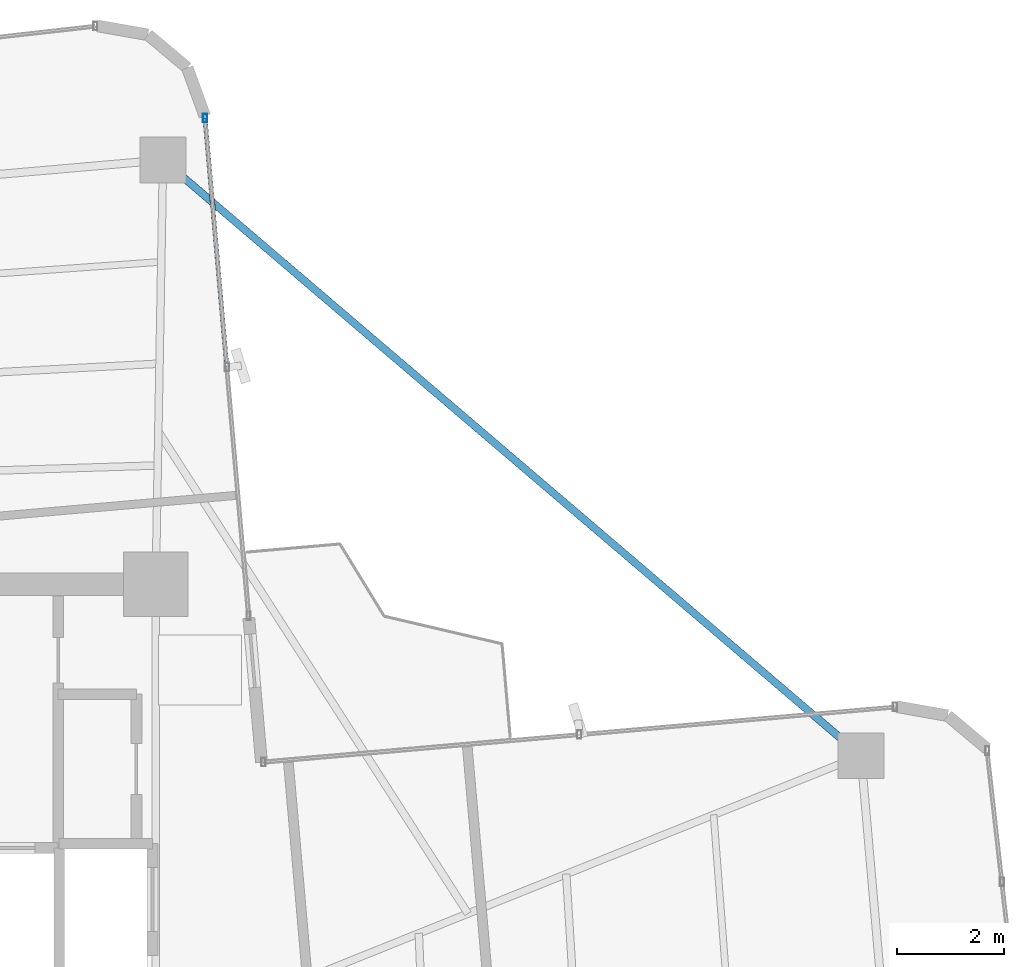
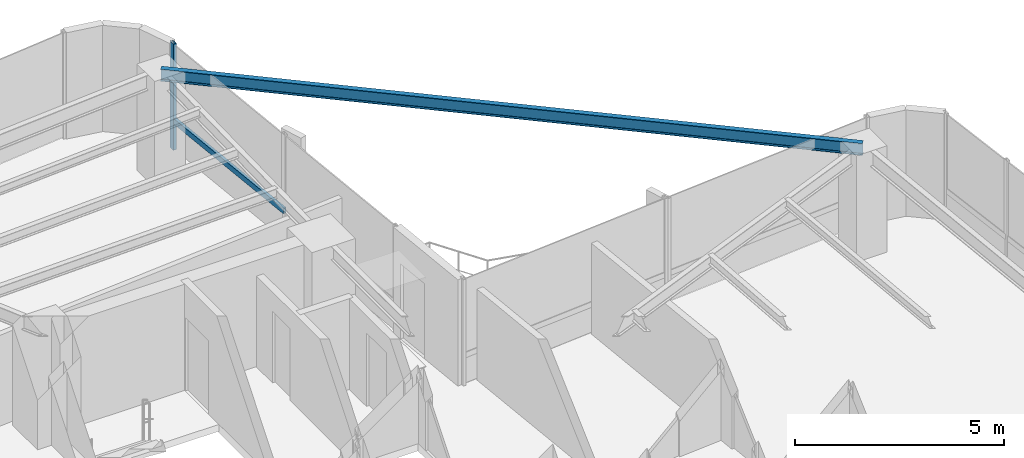
# One storey, part 17 of 24: 2 members, 1 beam, 1 element without a shape of its own.
"""IFC4 building model written with IfcOpenShell, lengths in metres."""

import ifcopenshell
import ifcopenshell.guid

model = None  # the IFC model being written
_history = None  # IfcOwnerHistory: only IFC2X3 demands one
_inside = {}  # id of a spatial element -> (the spatial element, [elements in it])
_under = {}  # id of a project, library or spatial element -> (it, [spatial elements below it])
_declared = {}  # id of a project -> (the project, [libraries it declares])
_typed = {}  # id of a type object -> (the type object, [elements of that type])
_made_of = {}  # id of a material, layer set ... -> (it, [elements and type objects made of it])


def new_model(schema):
    """Start an empty IFC model of exactly this schema.

    Asked for "IFC4X3", IfcOpenShell would pick the latest addendum, in which some entities
    have other attributes; the version numbers below select the first issue.
    IFC2X3 requires an IfcOwnerHistory on every rooted entity: one is made here for all.
    """
    global model, _history
    if schema == "IFC4X3":
        model = ifcopenshell.file(schema_version=(4, 3, 0, 0))
    else:
        model = ifcopenshell.file(schema=schema)
    _inside.clear()
    _under.clear()
    _declared.clear()
    _typed.clear()
    _made_of.clear()
    _history = None
    if model.schema == "IFC2X3":
        org = make("IfcOrganization", Name="unknown")
        user = make(
            "IfcPersonAndOrganization",
            ThePerson=make("IfcPerson", FamilyName="unknown"),
            TheOrganization=org,
        )
        app = make(
            "IfcApplication",
            ApplicationDeveloper=org,
            Version="unknown",
            ApplicationFullName="unknown",
            ApplicationIdentifier="unknown",
        )
        _history = make(
            "IfcOwnerHistory",
            OwningUser=user,
            OwningApplication=app,
            ChangeAction="ADDED",
            CreationDate=0,
        )
    return model


def make(cls, **values):
    """One entity of the class cls with the attributes given. An attribute that is None is left unset."""
    return model.create_entity(
        cls, **{name: value for name, value in values.items() if value is not None}
    )


def rooted(cls, **values):
    """An entity with a GlobalId (a new one), such as an element, a storey or a relation."""
    return make(cls, GlobalId=ifcopenshell.guid.new(), OwnerHistory=_history, **values)


def si_unit(unit_type, name, prefix=None):
    """IfcSIUnit, for example si_unit("LENGTHUNIT", "METRE", prefix="MILLI")."""
    return make("IfcSIUnit", UnitType=unit_type, Prefix=prefix, Name=name)


def assignment(units):
    """IfcUnitAssignment: the units of a project."""
    return None if units is None else make("IfcUnitAssignment", Units=units)


def point(xyz):
    """IfcCartesianPoint."""
    return None if xyz is None else make("IfcCartesianPoint", Coordinates=xyz)


def direction(xyz):
    """IfcDirection."""
    return None if xyz is None else make("IfcDirection", DirectionRatios=xyz)


def frame(location, z_axis=None, x_axis=None):
    """IfcAxis2Placement3D, a coordinate frame: its origin and axes. An axis left out is left unset."""
    return make(
        "IfcAxis2Placement3D",
        Location=point(location),
        Axis=direction(z_axis),
        RefDirection=direction(x_axis),
    )


def frame_2d(location, x_axis=None):
    """IfcAxis2Placement2D, a coordinate frame in the plane: its origin and x axis."""
    return make(
        "IfcAxis2Placement2D", Location=point(location), RefDirection=direction(x_axis)
    )


def origin():
    """The frame at (0, 0, 0) with its axes left unset."""
    return frame((0.0, 0.0, 0.0))


def origin_2d():
    """The frame at (0, 0) in the plane with its x axis left unset."""
    return frame_2d((0.0, 0.0))


def place(relative_to, where):
    """IfcLocalPlacement: puts the frame where relative to a parent placement (None: the world)."""
    return make(
        "IfcLocalPlacement", PlacementRelTo=relative_to, RelativePlacement=where
    )


def context(
    kind, dimensions, precision=None, world=None, true_north=None, identifier=None
):
    """IfcGeometricRepresentationContext, for example the 3D "Model" context."""
    return make(
        "IfcGeometricRepresentationContext",
        ContextIdentifier=identifier,
        ContextType=kind,
        CoordinateSpaceDimension=dimensions,
        Precision=precision,
        WorldCoordinateSystem=world,
        TrueNorth=true_north,
    )


def subcontext(parent, identifier, kind, view, scale=None):
    """IfcGeometricRepresentationSubContext, for example "Body" below "Model"."""
    return make(
        "IfcGeometricRepresentationSubContext",
        ContextIdentifier=identifier,
        ContextType=kind,
        ParentContext=parent,
        TargetScale=scale,
        TargetView=view,
    )


def project(units=None, contexts=None):
    """IfcProject with its units and contexts."""
    return rooted(
        "IfcProject",
        Name="project",
        RepresentationContexts=contexts,
        UnitsInContext=assignment(units),
    )


def spatial(cls, under=None, at=None, **own):
    """A site, building, storey or space (cls), placed at a placement, below another one or the project."""
    s = rooted(cls, ObjectPlacement=at, **own)
    if under is not None:
        _under.setdefault(under.id(), (under, []))[1].append(s)
    return s


def profile(cls, at=None, kind="AREA", **sizes):
    """A parametric profile (cls). Its sizes go by their IFC names, for example OverallWidth=200.0."""
    return make(cls, ProfileType=kind, Position=at, **sizes)


def hollow_rectangle(**sizes):
    """IfcRectangleHollowProfileDef."""
    return profile("IfcRectangleHollowProfileDef", **sizes)


def i_section(**sizes):
    """IfcIShapeProfileDef."""
    return profile("IfcIShapeProfileDef", **sizes)


def extrude(swept, where, along, depth):
    """IfcExtrudedAreaSolid: the profile swept, set in the frame where, extruded along a direction by depth."""
    return make(
        "IfcExtrudedAreaSolid",
        SweptArea=swept,
        Position=where,
        ExtrudedDirection=direction(along),
        Depth=depth,
    )


def shape(context_of_items, identifier, shape_type, items):
    """IfcShapeRepresentation: the items that make up one representation, for example the "Body"."""
    return make(
        "IfcShapeRepresentation",
        ContextOfItems=context_of_items,
        RepresentationIdentifier=identifier,
        RepresentationType=shape_type,
        Items=items,
    )


def source(mapping_origin, context_of_items, identifier, shape_type, items):
    """IfcRepresentationMap: a shape defined once, which mapped items show again and again."""
    return make(
        "IfcRepresentationMap",
        MappingOrigin=mapping_origin,
        MappedRepresentation=shape(context_of_items, identifier, shape_type, items),
    )


def transform(
    local_origin,
    x_axis=None,
    y_axis=None,
    z_axis=None,
    scale=None,
    scale2=None,
    scale3=None,
    uniform=True,
):
    """IfcCartesianTransformationOperator3D, or its non-uniform kind. x_axis, y_axis, z_axis: its Axis1, 2, 3."""
    if uniform:
        return make(
            "IfcCartesianTransformationOperator3D",
            Axis1=direction(x_axis),
            Axis2=direction(y_axis),
            LocalOrigin=point(local_origin),
            Scale=scale,
            Axis3=direction(z_axis),
        )
    return make(
        "IfcCartesianTransformationOperator3DnonUniform",
        Axis1=direction(x_axis),
        Axis2=direction(y_axis),
        LocalOrigin=point(local_origin),
        Scale=scale,
        Axis3=direction(z_axis),
        Scale2=scale2,
        Scale3=scale3,
    )


def mapped(mapping_source, mapping_target):
    """IfcMappedItem: shows the shape of a source again, moved by a transform."""
    return make(
        "IfcMappedItem", MappingSource=mapping_source, MappingTarget=mapping_target
    )


def material(Name=None, Category=None):
    """IfcMaterial."""
    return make("IfcMaterial", Name=Name, Category=Category)


def material_profile(
    of_material, cross_section, Name=None, Category=None, Priority=None
):
    """IfcMaterialProfile: a cross section and its material."""
    return make(
        "IfcMaterialProfile",
        Name=Name,
        Material=of_material,
        Profile=cross_section,
        Priority=Priority,
        Category=Category,
    )


def profile_set(profiles, Name=None, composite=None):
    """IfcMaterialProfileSet."""
    return make(
        "IfcMaterialProfileSet",
        Name=Name,
        MaterialProfiles=profiles,
        CompositeProfile=composite,
    )


def made_of(thing, what):
    """Note that an element or type object is made of a material, layer set ...; save() writes the relation."""
    if what is not None:
        _made_of.setdefault(what.id(), (what, []))[1].append(thing)
    return thing


def type_object(cls, material=None, **own):
    """A type object (cls), such as IfcWallType, which elements share."""
    return made_of(rooted(cls, **own), material)


def element(
    cls,
    number,
    at=None,
    inside=None,
    cuts=None,
    type_object=None,
    material=None,
    context=None,
    identifier="Body",
    shape_type=None,
    held_by="IfcProductDefinitionShape",
    body=None,
    shapes=None,
    **own,
):
    """One element of the class cls, such as IfcWall. Its Tag is "e" and its number.

    at: its placement. inside: the storey or other place that contains it. cuts: it is an
    opening in that element (IfcRelVoidsElement). A single representation is given by context,
    identifier, shape_type and body (its items); several are given by shapes. held_by: the class
    of the entity that holds the representations. save() writes the other relations.
    """
    e = rooted(cls, Tag="e%d" % number, ObjectPlacement=at, **own)
    if body is not None:
        shapes = [shape(context, identifier, shape_type, body)]
    if shapes is not None:
        e.Representation = make(held_by, Representations=shapes)
    if inside is not None:
        _inside.setdefault(inside.id(), (inside, []))[1].append(e)
    if cuts is not None:
        rooted(
            "IfcRelVoidsElement", RelatingBuildingElement=cuts, RelatedOpeningElement=e
        )
    if type_object is not None:
        _typed.setdefault(type_object.id(), (type_object, []))[1].append(e)
    return made_of(e, material)


def aggregate(whole, parts):
    """IfcRelAggregates: a whole, such as a stair, and the parts it consists of."""
    return rooted("IfcRelAggregates", RelatingObject=whole, RelatedObjects=parts)


def save(model, path):
    """Write the relations noted so far, then the file.

    IfcRelAggregates (storeys below a building ...), IfcRelContainedInSpatialStructure (elements
    in a storey), IfcRelDefinesByType, IfcRelAssociatesMaterial and IfcRelDeclares: one each for
    every whole, place, type object, material and project.
    """
    for whole, parts in _under.values():
        aggregate(whole, parts)
    for where, things in _inside.values():
        rooted(
            "IfcRelContainedInSpatialStructure",
            RelatedElements=things,
            RelatingStructure=where,
        )
    for kind, things in _typed.values():
        rooted("IfcRelDefinesByType", RelatedObjects=things, RelatingType=kind)
    for what, things in _made_of.values():
        rooted("IfcRelAssociatesMaterial", RelatedObjects=things, RelatingMaterial=what)
    for by, libraries in _declared.values():
        rooted("IfcRelDeclares", RelatingContext=by, RelatedDefinitions=libraries)
    model.write(path)


model = new_model("IFC4")

# Units and contexts
model_context = context("Model", 3, precision=1e-05, world=origin(), true_north=direction((0.0, 1.0)))
body_context = subcontext(model_context, "Body", "Model", "MODEL_VIEW")
ifc_project = project(units=[si_unit("LENGTHUNIT", "METRE"), si_unit("AREAUNIT", "SQUARE_METRE"), si_unit("VOLUMEUNIT", "CUBIC_METRE"), si_unit("PLANEANGLEUNIT", "RADIAN"), si_unit("MASSUNIT", "GRAM", prefix="KILO")], contexts=[model_context])

# Site, building, storey
site_placement = place(None, origin())
site = spatial("IfcSite", under=ifc_project, at=site_placement, CompositionType="ELEMENT")
building_placement = place(site_placement, origin())
building = spatial("IfcBuilding", under=site, at=building_placement, Name="Sahyath Konkavel Grand Hotel", CompositionType="ELEMENT")
storey_placement = place(building_placement, frame((0.0, 0.0, 147.25)))
storey = spatial("IfcBuildingStorey", under=building, at=storey_placement, Name="L40", CompositionType="ELEMENT", Elevation=147.25)

# Beam
ifc_material_1 = material(Name="Steel E350", Category="steel")
ifc_material_profile_1 = material_profile(ifc_material_1, i_section(OverallWidth=0.139892578125, OverallDepth=0.35009765625, WebThickness=0.008056640625, FlangeThickness=0.01416015625, FilletRadius=0.013916015625, at=origin_2d()), Name="ISMB 350")
ifc_profile_set_1 = profile_set([ifc_material_profile_1], Name="Steel E350")
beam_type = type_object("IfcBeamType", Name="BM-ISMB350", PredefinedType="BEAM", material=ifc_profile_set_1)
shared_shape_1 = source(origin(), body_context, "Body", "SweptSolid", [
    extrude(i_section(OverallWidth=0.139892578125, OverallDepth=0.35009765625, WebThickness=0.008056640625, FlangeThickness=0.01416015625, FilletRadius=0.013916015625, at=origin_2d()), origin(), (0.0, 0.0, 1.0), 17.11279296875),
])
beam_placement = place(storey_placement, frame((16.9541015625, 7.00439453125, 2.93505859375), z_axis=(-0.760711911164, 0.649089661151, 0.0), x_axis=(-0.649089661151, -0.760711911164, 0.0)))
element("IfcBeam", 1, at=beam_placement, inside=storey, type_object=beam_type, Name="L40 Re-Entrant Tie Beam NE", PredefinedType="BEAM", context=body_context, shape_type="MappedRepresentation", body=[
    mapped(shared_shape_1, transform((0.0, 0.0, 0.0), scale=1.0)),
])

# Curtain wall, members
ifc_material_2 = material(Name="Anodised Bronze Aluminium & Low-E Glazing", Category="aluminium")
curtain_wall_type = type_object("IfcCurtainWallType", Name="CW-ZONE3", PredefinedType="NOTDEFINED", material=ifc_material_2)
curtain_wall_placement = place(storey_placement, origin())
curtain_wall = element("IfcCurtainWall", 2, at=curtain_wall_placement, inside=storey, type_object=curtain_wall_type, Name="L40 Unitised Curtain Wall F8", PredefinedType="NOTDEFINED")
ifc_material_3 = material(Name="Anodised Bronze Aluminium", Category="aluminium")
ifc_material_profile_2 = material_profile(ifc_material_3, hollow_rectangle(XDim=0.080078125, YDim=0.159912109375, WallThickness=0.006103515625, at=origin_2d()), Name="RHS 160x80x6")
ifc_profile_set_2 = profile_set([ifc_material_profile_2], Name="Anodised Bronze Aluminium")
member_type_1 = type_object("IfcMemberType", Name="CW-MUL-160", PredefinedType="MULLION", material=ifc_profile_set_2)
shared_shape_2 = source(origin(), body_context, "Body", "SweptSolid", [
    extrude(hollow_rectangle(XDim=0.080078125, YDim=0.159912109375, WallThickness=0.006103515625, at=origin_2d()), origin(), (0.0, 0.0, 1.0), 3.110107421875),
])
member_1_placement = place(storey_placement, frame((4.72119140625, 18.893310546875, 0.0), z_axis=(0.0, 0.0, 1.0), x_axis=(1.0, 0.0, 0.0)))
member_1 = element("IfcMember", 3, at=member_1_placement, type_object=member_type_1, Name="L40 Curtain Wall Mullion F8-2", PredefinedType="MULLION", context=body_context, shape_type="MappedRepresentation", body=[
    mapped(shared_shape_2, transform((0.0, 0.0, 0.0), scale=1.0)),
])
ifc_material_profile_3 = material_profile(ifc_material_3, hollow_rectangle(XDim=0.080078125, YDim=0.159912109375, WallThickness=0.006103515625, at=origin_2d()), Name="RHS 160x80x6")
ifc_profile_set_3 = profile_set([ifc_material_profile_3], Name="Anodised Bronze Aluminium")
member_type_2 = type_object("IfcMemberType", Name="CW-TRN-160", PredefinedType="USERDEFINED", material=ifc_profile_set_3)
shared_shape_3 = source(origin(), body_context, "Body", "SweptSolid", [
    extrude(hollow_rectangle(XDim=0.080078125, YDim=0.159912109375, WallThickness=0.006103515625, at=origin_2d()), origin(), (0.0, 0.0, 1.0), 4.659912109375),
])
member_2_placement = place(storey_placement, frame((5.12744140625, 14.251220703125, 0.85009765625), z_axis=(-0.087181248758, 0.996192466276, 0.0), x_axis=(-0.996192466276, -0.087181248758, 0.0)))
member_2 = element("IfcMember", 4, at=member_2_placement, type_object=member_type_2, Name="L40 Curtain Wall Transom F8-1-spandrel", ObjectType="TRANSOM", PredefinedType="USERDEFINED", context=body_context, shape_type="MappedRepresentation", body=[
    mapped(shared_shape_3, transform((0.0, 0.0, 0.0), scale=1.0)),
])
aggregate(curtain_wall, [member_1, member_2])

save(model, "model.ifc")
